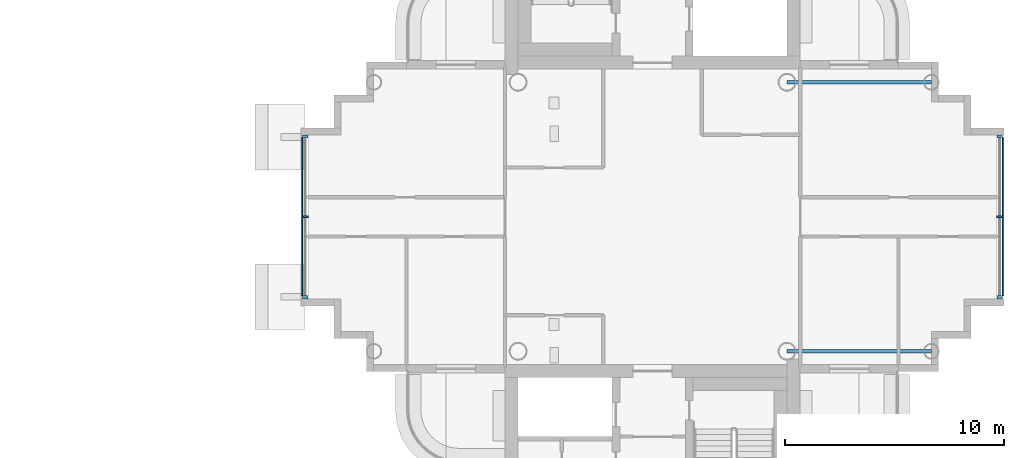
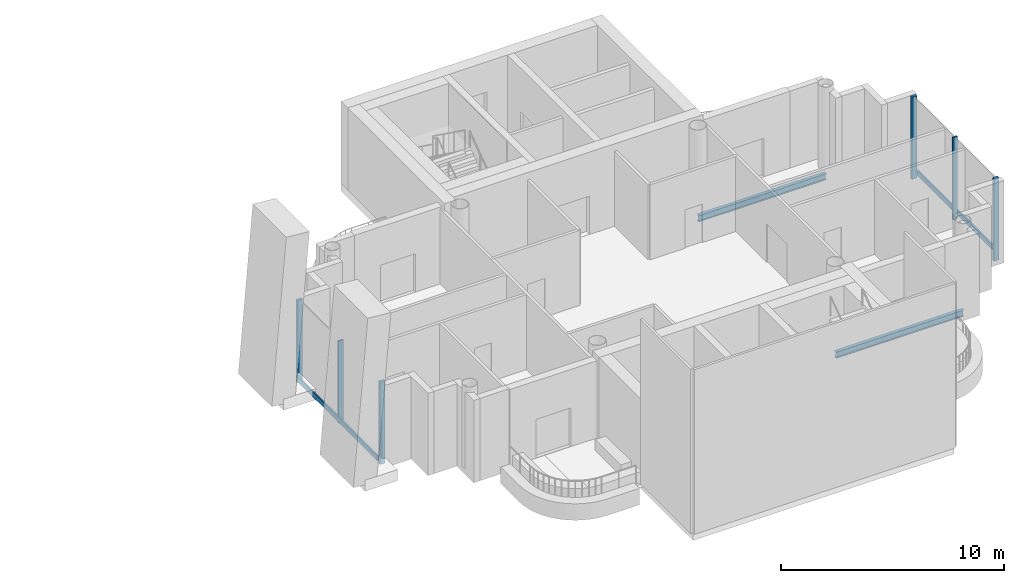
# One storey, part 4 of 19: 8 members, 2 beams, 2 elements without a shape of their own.
"""IFC4 building model written with IfcOpenShell, lengths in metres."""

from ifc_helpers import new_model, si_unit, direction, frame, origin, origin_2d, place, context, subcontext, project, spatial, rectangle, i_section, extrude, material, layer, layer_set, material_profile, profile_set, type_object, element, aggregate, save


model = new_model("IFC4")

# Units and contexts
model_context = context("Model", 3, precision=1e-05, world=origin(), true_north=direction((0.0, 1.0)))
body_context = subcontext(model_context, "Body", "Model", "MODEL_VIEW")
ifc_project = project(units=[si_unit("LENGTHUNIT", "METRE"), si_unit("AREAUNIT", "SQUARE_METRE"), si_unit("VOLUMEUNIT", "CUBIC_METRE"), si_unit("PLANEANGLEUNIT", "RADIAN"), si_unit("MASSUNIT", "GRAM", prefix="KILO")], contexts=[model_context])

# Site, building, storey
site_placement = place(None, origin())
site = spatial("IfcSite", under=ifc_project, at=site_placement, CompositionType="ELEMENT")
building_placement = place(site_placement, origin())
building = spatial("IfcBuilding", under=site, at=building_placement, Name="Ipe Terrace Towers", CompositionType="ELEMENT")
storey_placement = place(building_placement, frame((0.0, 0.0, 237.89990234375)))
storey = spatial("IfcBuildingStorey", under=building, at=storey_placement, Name="L66", CompositionType="ELEMENT", Elevation=237.89990234375)

# Beams
ifc_material_1 = material(Name="Steel S355", Category="steel")
ifc_material_profile_1 = material_profile(ifc_material_1, i_section(OverallWidth=0.175048828125, OverallDepth=0.35009765625, WebThickness=0.007080078125, FlangeThickness=0.010986328125, at=origin_2d()), Name="H-350x175x7x11")
ifc_profile_set_1 = profile_set([ifc_material_profile_1], Name="Steel S355")
beam_type = type_object("IfcBeamType", Name="H04 EDGE BEAM H-350x175x7x11", PredefinedType="BEAM", material=ifc_profile_set_1)
for number, where, z_axis, x_axis, name in (
    (1, (48.75, -6.14990234375, -0.574951171875), (-1.0, 0.0, 0.0), (0.0, -1.0, 0.0), "Edge beam T2-EB-D01-E01"),
    (2, (48.75, 6.14990234375, -0.574951171875), (-1.0, 0.0, 0.0), (0.0, -1.0, 0.0), "Edge beam T2-EB-D02-E02"),
):
    element("IfcBeam", number, at=place(storey_placement, frame(where, z_axis=z_axis, x_axis=x_axis)), inside=storey, type_object=beam_type, Name=name, PredefinedType="BEAM", context=body_context, shape_type="SweptSolid", body=[
        extrude(i_section(OverallWidth=0.175048828125, OverallDepth=0.35009765625, WebThickness=0.007080078125, FlangeThickness=0.010986328125, at=origin_2d()), origin(), (0.0, 0.0, 1.0), 6.60009765625),
    ])

# Curtain wall, members
ifc_material_2 = material(Name="Aluminium alloy 6063-T6", Category="aluminium")
ifc_layer = layer(ifc_material_2, 0.320068359375)
ifc_layer_set = layer_set([ifc_layer], Name="LANTERN CURTAIN WALL")
curtain_wall_type = type_object("IfcCurtainWallType", Name="LANTERN CURTAIN WALL", PredefinedType="NOTDEFINED", material=ifc_layer_set)
curtain_wall_1_placement = place(storey_placement, origin())
curtain_wall_1 = element("IfcCurtainWall", 3, at=curtain_wall_1_placement, inside=storey, type_object=curtain_wall_type, Name="T2-CW-L66-08a curtain wall", PredefinedType="NOTDEFINED")
ifc_material_3 = material(Name="Aluminium alloy 6063-T6", Category="aluminium")
ifc_material_profile_2 = material_profile(ifc_material_3, rectangle(XDim=0.25, YDim=0.139892578125, at=origin_2d()), Name="LANTERN CORNER MULLION 250 x 140")
ifc_profile_set_2 = profile_set([ifc_material_profile_2], Name="Aluminium alloy 6063-T6")
member_type_1 = type_object("IfcMemberType", Name="LANTERN CORNER MULLION 250 x 140", PredefinedType="MULLION", material=ifc_profile_set_2)
member_1_placement = place(storey_placement, frame((51.875, -3.679931640625, -0.2998046875), z_axis=(0.0, 0.0, 1.0), x_axis=(1.0, 0.0, 0.0)))
member_1 = element("IfcMember", 4, at=member_1_placement, type_object=member_type_1, Name="T2-CW-L66-08a mullion 1", PredefinedType="MULLION", context=body_context, shape_type="SweptSolid", body=[
    extrude(rectangle(XDim=0.25, YDim=0.139892578125, at=origin_2d()), origin(), (0.0, 0.0, 1.0), 4.5),
])
member_2_placement = place(storey_placement, frame((51.875, 3.679931640625, -0.2998046875), z_axis=(0.0, 0.0, 1.0), x_axis=(1.0, 0.0, 0.0)))
member_2 = element("IfcMember", 5, at=member_2_placement, type_object=member_type_1, Name="T2-CW-L66-08a mullion 3", PredefinedType="MULLION", context=body_context, shape_type="SweptSolid", body=[
    extrude(rectangle(XDim=0.25, YDim=0.139892578125, at=origin_2d()), origin(), (0.0, 0.0, 1.0), 4.5),
])

curtain_wall_2_placement = place(storey_placement, origin())
curtain_wall_2 = element("IfcCurtainWall", 6, at=curtain_wall_2_placement, inside=storey, type_object=curtain_wall_type, Name="T2-CW-L66-26a curtain wall", PredefinedType="NOTDEFINED")
member_3_placement = place(storey_placement, frame((20.125, 3.679931640625, -0.2998046875), z_axis=(0.0, 0.0, 1.0), x_axis=(-1.0, 0.0, 0.0)))
member_3 = element("IfcMember", 7, at=member_3_placement, type_object=member_type_1, Name="T2-CW-L66-26a mullion 1", PredefinedType="MULLION", context=body_context, shape_type="SweptSolid", body=[
    extrude(rectangle(XDim=0.25, YDim=0.139892578125, at=origin_2d()), origin(), (0.0, 0.0, 1.0), 4.5),
])
member_4_placement = place(storey_placement, frame((20.125, -3.679931640625, -0.2998046875), z_axis=(0.0, 0.0, 1.0), x_axis=(-1.0, 0.0, 0.0)))
member_4 = element("IfcMember", 8, at=member_4_placement, type_object=member_type_1, Name="T2-CW-L66-26a mullion 3", PredefinedType="MULLION", context=body_context, shape_type="SweptSolid", body=[
    extrude(rectangle(XDim=0.25, YDim=0.139892578125, at=origin_2d()), origin(), (0.0, 0.0, 1.0), 4.5),
])

# Member
ifc_material_4 = material(Name="Aluminium alloy 6063-T6", Category="aluminium")
ifc_material_profile_3 = material_profile(ifc_material_4, rectangle(XDim=0.25, YDim=0.080078125, at=origin_2d()), Name="LANTERN MULLION 250 x 80")
ifc_profile_set_3 = profile_set([ifc_material_profile_3], Name="Aluminium alloy 6063-T6")
member_type_2 = type_object("IfcMemberType", Name="LANTERN MULLION 250 x 80", PredefinedType="MULLION", material=ifc_profile_set_3)
member_5_placement = place(storey_placement, frame((51.875, 0.0, -0.2998046875), z_axis=(0.0, 0.0, 1.0), x_axis=(1.0, 0.0, 0.0)))
member_5 = element("IfcMember", 9, at=member_5_placement, type_object=member_type_2, Name="T2-CW-L66-08a mullion 2", PredefinedType="MULLION", context=body_context, shape_type="SweptSolid", body=[
    extrude(rectangle(XDim=0.25, YDim=0.080078125, at=origin_2d()), origin(), (0.0, 0.0, 1.0), 4.5),
])

member_6_placement = place(storey_placement, frame((20.125, 0.0, -0.2998046875), z_axis=(0.0, 0.0, 1.0), x_axis=(-1.0, 0.0, 0.0)))
member_6 = element("IfcMember", 10, at=member_6_placement, type_object=member_type_2, Name="T2-CW-L66-26a mullion 2", PredefinedType="MULLION", context=body_context, shape_type="SweptSolid", body=[
    extrude(rectangle(XDim=0.25, YDim=0.080078125, at=origin_2d()), origin(), (0.0, 0.0, 1.0), 4.5),
])

ifc_material_5 = material(Name="Aluminium alloy 6063-T6", Category="aluminium")
ifc_material_profile_4 = material_profile(ifc_material_5, rectangle(XDim=0.070068359375, YDim=0.280029296875, at=origin_2d()), Name="LANTERN TRANSOM 70 x 280")
ifc_profile_set_4 = profile_set([ifc_material_profile_4], Name="Aluminium alloy 6063-T6")
member_type_3 = type_object("IfcMemberType", Name="LANTERN TRANSOM 70 x 280", PredefinedType="USERDEFINED", material=ifc_profile_set_4)
member_7_placement = place(storey_placement, frame((52.034912109375, -3.610107421875, 0.0), z_axis=(0.0, 1.0, 0.0), x_axis=(1.0, 0.0, 0.0)))
member_7 = element("IfcMember", 11, at=member_7_placement, type_object=member_type_3, Name="T2-CW-L66-08a transom", ObjectType="TRANSOM", PredefinedType="USERDEFINED", context=body_context, shape_type="SweptSolid", body=[
    extrude(rectangle(XDim=0.070068359375, YDim=0.280029296875, at=origin_2d()), origin(), (0.0, 0.0, 1.0), 7.22021484375),
])

aggregate(curtain_wall_1, [member_1, member_5, member_2, member_7])

member_8_placement = place(storey_placement, frame((19.965087890625, 3.610107421875, 0.0), z_axis=(0.0, -1.0, 0.0), x_axis=(-1.0, 0.0, 0.0)))
member_8 = element("IfcMember", 12, at=member_8_placement, type_object=member_type_3, Name="T2-CW-L66-26a transom", ObjectType="TRANSOM", PredefinedType="USERDEFINED", context=body_context, shape_type="SweptSolid", body=[
    extrude(rectangle(XDim=0.070068359375, YDim=0.280029296875, at=origin_2d()), origin(), (0.0, 0.0, 1.0), 7.22021484375),
])

aggregate(curtain_wall_2, [member_3, member_6, member_4, member_8])

save(model, "model.ifc")
